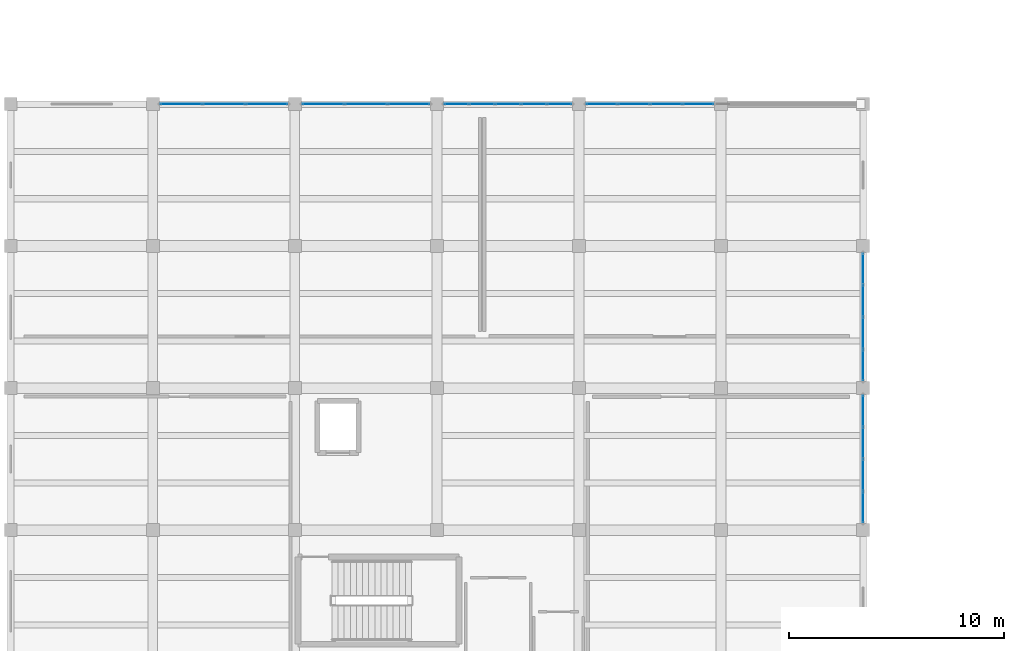
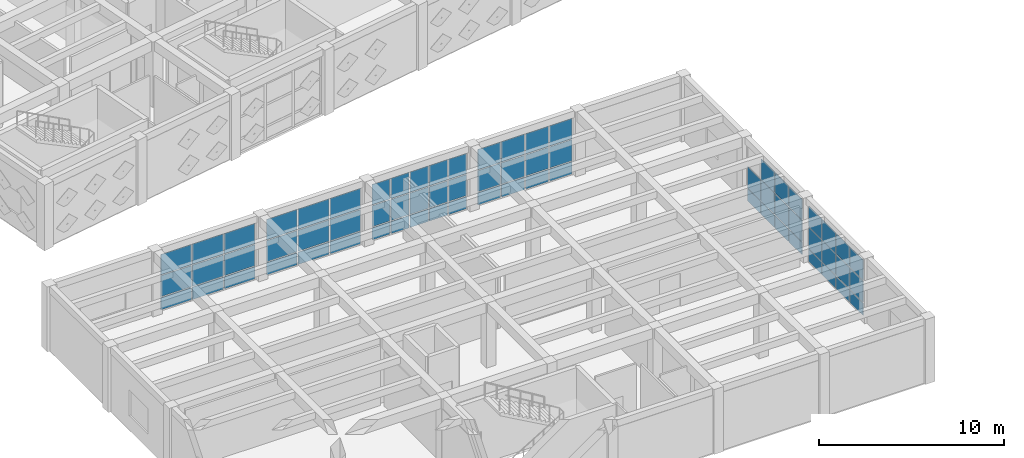
# One storey, part 42 of 67: 68 plates, 6 elements without a shape of their own.
"""IFC4 building model written with IfcOpenShell, lengths in metres."""

from ifc_helpers import new_model, si_unit, direction, frame, origin, origin_2d, place, context, subcontext, project, spatial, rectangle, extrude, material, layer, layer_set, type_object, element, aggregate, save


model = new_model("IFC4")

# Units and contexts
model_context = context("Model", 3, precision=1e-05, world=origin(), true_north=direction((0.0, 1.0)))
body_context = subcontext(model_context, "Body", "Model", "MODEL_VIEW")
ifc_project = project(units=[si_unit("LENGTHUNIT", "METRE"), si_unit("AREAUNIT", "SQUARE_METRE"), si_unit("VOLUMEUNIT", "CUBIC_METRE"), si_unit("PLANEANGLEUNIT", "RADIAN"), si_unit("MASSUNIT", "GRAM", prefix="KILO")], contexts=[model_context])

# Site, building, storey
site_placement = place(None, origin())
site = spatial("IfcSite", under=ifc_project, at=site_placement, CompositionType="ELEMENT")
building_placement = place(site_placement, origin())
building = spatial("IfcBuilding", under=site, at=building_placement, Name="Kharisveld Research Institute", CompositionType="ELEMENT")
storey_placement = place(building_placement, frame((0.0, 0.0, 9.60009765625)))
storey = spatial("IfcBuildingStorey", under=building, at=storey_placement, Name="L02", CompositionType="ELEMENT", Elevation=9.60009765625)

# Curtain wall, plates
ifc_material_1 = material(Name="Thermally Broken Aluminium Curtain Wall", Category="aluminium")
ifc_layer_1 = layer(ifc_material_1, 0.159912109375)
ifc_layer_set_1 = layer_set([ifc_layer_1], Name="CW_SYS_05")
curtain_wall_type_1 = type_object("IfcCurtainWallType", Name="CW_SYS_05", PredefinedType="NOTDEFINED", material=ifc_layer_set_1)
curtain_wall_1_placement = place(storey_placement, origin())
curtain_wall_1 = element("IfcCurtainWall", 1, at=curtain_wall_1_placement, inside=storey, type_object=curtain_wall_type_1, Name="CW:V3:L02:N1", PredefinedType="NOTDEFINED")
ifc_material_2 = material(Name="Low-E Double Glazing", Category="glass")
ifc_layer_2 = layer(ifc_material_2, 0.028076171875)
ifc_layer_set_2 = layer_set([ifc_layer_2], Name="CW_PNL_GLZ")
plate_type_1 = type_object("IfcPlateType", Name="CW_PNL_GLZ", PredefinedType="CURTAIN_PANEL", material=ifc_layer_set_2)
plate_1_placement = place(storey_placement, frame((8.512939453125, 26.60009765625, 0.059814453125), z_axis=(0.0, 0.0, 1.0), x_axis=(1.0, 0.0, 0.0)))
plate_1 = element("IfcPlate", 2, at=plate_1_placement, type_object=plate_type_1, Name="CW-05 panel 1.1", PredefinedType="CURTAIN_PANEL", context=body_context, shape_type="SweptSolid", body=[
    extrude(rectangle(XDim=1.90576171875, YDim=0.028076171875, at=origin_2d()), origin(), (0.0, 0.0, 1.0), 0.81005859375),
])
plate_2_placement = place(storey_placement, frame((8.512939453125, 26.60009765625, 0.93017578125), z_axis=(0.0, 0.0, 1.0), x_axis=(1.0, 0.0, 0.0)))
plate_2 = element("IfcPlate", 3, at=plate_2_placement, type_object=plate_type_1, Name="CW-05 panel 1.2", PredefinedType="CURTAIN_PANEL", context=body_context, shape_type="SweptSolid", body=[
    extrude(rectangle(XDim=1.90576171875, YDim=0.028076171875, at=origin_2d()), origin(), (0.0, 0.0, 1.0), 1.389892578125),
])
plate_3_placement = place(storey_placement, frame((8.512939453125, 26.60009765625, 2.3798828125), z_axis=(0.0, 0.0, 1.0), x_axis=(1.0, 0.0, 0.0)))
plate_3 = element("IfcPlate", 4, at=plate_3_placement, type_object=plate_type_1, Name="CW-05 panel 1.3", PredefinedType="CURTAIN_PANEL", context=body_context, shape_type="SweptSolid", body=[
    extrude(rectangle(XDim=1.90576171875, YDim=0.028076171875, at=origin_2d()), origin(), (0.0, 0.0, 1.0), 1.340087890625),
])
plate_4_placement = place(storey_placement, frame((10.5, 26.60009765625, 0.059814453125), z_axis=(0.0, 0.0, 1.0), x_axis=(1.0, 0.0, 0.0)))
plate_4 = element("IfcPlate", 5, at=plate_4_placement, type_object=plate_type_1, Name="CW-05 panel 2.1", PredefinedType="CURTAIN_PANEL", context=body_context, shape_type="SweptSolid", body=[
    extrude(rectangle(XDim=1.938232421875, YDim=0.028076171875, at=origin_2d()), origin(), (0.0, 0.0, 1.0), 0.81005859375),
])
plate_5_placement = place(storey_placement, frame((10.5, 26.60009765625, 0.93017578125), z_axis=(0.0, 0.0, 1.0), x_axis=(1.0, 0.0, 0.0)))
plate_5 = element("IfcPlate", 6, at=plate_5_placement, type_object=plate_type_1, Name="CW-05 panel 2.2", PredefinedType="CURTAIN_PANEL", context=body_context, shape_type="SweptSolid", body=[
    extrude(rectangle(XDim=1.938232421875, YDim=0.028076171875, at=origin_2d()), origin(), (0.0, 0.0, 1.0), 1.389892578125),
])
plate_6_placement = place(storey_placement, frame((10.5, 26.60009765625, 2.3798828125), z_axis=(0.0, 0.0, 1.0), x_axis=(1.0, 0.0, 0.0)))
plate_6 = element("IfcPlate", 7, at=plate_6_placement, type_object=plate_type_1, Name="CW-05 panel 2.3", PredefinedType="CURTAIN_PANEL", context=body_context, shape_type="SweptSolid", body=[
    extrude(rectangle(XDim=1.938232421875, YDim=0.028076171875, at=origin_2d()), origin(), (0.0, 0.0, 1.0), 1.340087890625),
])
plate_7_placement = place(storey_placement, frame((12.487060546875, 26.60009765625, 0.059814453125), z_axis=(0.0, 0.0, 1.0), x_axis=(1.0, 0.0, 0.0)))
plate_7 = element("IfcPlate", 8, at=plate_7_placement, type_object=plate_type_1, Name="CW-05 panel 3.1", PredefinedType="CURTAIN_PANEL", context=body_context, shape_type="SweptSolid", body=[
    extrude(rectangle(XDim=1.90576171875, YDim=0.028076171875, at=origin_2d()), origin(), (0.0, 0.0, 1.0), 0.81005859375),
])
plate_8_placement = place(storey_placement, frame((12.487060546875, 26.60009765625, 0.93017578125), z_axis=(0.0, 0.0, 1.0), x_axis=(1.0, 0.0, 0.0)))
plate_8 = element("IfcPlate", 9, at=plate_8_placement, type_object=plate_type_1, Name="CW-05 panel 3.2", PredefinedType="CURTAIN_PANEL", context=body_context, shape_type="SweptSolid", body=[
    extrude(rectangle(XDim=1.90576171875, YDim=0.028076171875, at=origin_2d()), origin(), (0.0, 0.0, 1.0), 1.389892578125),
])
plate_9_placement = place(storey_placement, frame((12.487060546875, 26.60009765625, 2.3798828125), z_axis=(0.0, 0.0, 1.0), x_axis=(1.0, 0.0, 0.0)))
plate_9 = element("IfcPlate", 10, at=plate_9_placement, type_object=plate_type_1, Name="CW-05 panel 3.3", PredefinedType="CURTAIN_PANEL", context=body_context, shape_type="SweptSolid", body=[
    extrude(rectangle(XDim=1.90576171875, YDim=0.028076171875, at=origin_2d()), origin(), (0.0, 0.0, 1.0), 1.340087890625),
])
aggregate(curtain_wall_1, [plate_1, plate_2, plate_3, plate_4, plate_5, plate_6, plate_7, plate_8, plate_9])

ifc_material_3 = material(Name="Thermally Broken Aluminium Curtain Wall", Category="aluminium")
ifc_layer_3 = layer(ifc_material_3, 0.159912109375)
ifc_layer_set_3 = layer_set([ifc_layer_3], Name="CW_SYS_06")
curtain_wall_type_2 = type_object("IfcCurtainWallType", Name="CW_SYS_06", PredefinedType="NOTDEFINED", material=ifc_layer_set_3)
curtain_wall_2_placement = place(storey_placement, origin())
curtain_wall_2 = element("IfcCurtainWall", 11, at=curtain_wall_2_placement, inside=storey, type_object=curtain_wall_type_2, Name="CW:V3:L02:N2", PredefinedType="NOTDEFINED")
plate_10_placement = place(storey_placement, frame((15.113037109375, 26.60009765625, 0.059814453125), z_axis=(0.0, 0.0, 1.0), x_axis=(1.0, 0.0, 0.0)))
plate_10 = element("IfcPlate", 12, at=plate_10_placement, type_object=plate_type_1, Name="CW-06 panel 1.1", PredefinedType="CURTAIN_PANEL", context=body_context, shape_type="SweptSolid", body=[
    extrude(rectangle(XDim=1.90576171875, YDim=0.028076171875, at=origin_2d()), origin(), (0.0, 0.0, 1.0), 0.81005859375),
])
plate_11_placement = place(storey_placement, frame((15.113037109375, 26.60009765625, 0.93017578125), z_axis=(0.0, 0.0, 1.0), x_axis=(1.0, 0.0, 0.0)))
plate_11 = element("IfcPlate", 13, at=plate_11_placement, type_object=plate_type_1, Name="CW-06 panel 1.2", PredefinedType="CURTAIN_PANEL", context=body_context, shape_type="SweptSolid", body=[
    extrude(rectangle(XDim=1.90576171875, YDim=0.028076171875, at=origin_2d()), origin(), (0.0, 0.0, 1.0), 1.389892578125),
])
plate_12_placement = place(storey_placement, frame((15.113037109375, 26.60009765625, 2.3798828125), z_axis=(0.0, 0.0, 1.0), x_axis=(1.0, 0.0, 0.0)))
plate_12 = element("IfcPlate", 14, at=plate_12_placement, type_object=plate_type_1, Name="CW-06 panel 1.3", PredefinedType="CURTAIN_PANEL", context=body_context, shape_type="SweptSolid", body=[
    extrude(rectangle(XDim=1.90576171875, YDim=0.028076171875, at=origin_2d()), origin(), (0.0, 0.0, 1.0), 1.340087890625),
])
plate_13_placement = place(storey_placement, frame((17.10009765625, 26.60009765625, 0.059814453125), z_axis=(0.0, 0.0, 1.0), x_axis=(1.0, 0.0, 0.0)))
plate_13 = element("IfcPlate", 15, at=plate_13_placement, type_object=plate_type_1, Name="CW-06 panel 2.1", PredefinedType="CURTAIN_PANEL", context=body_context, shape_type="SweptSolid", body=[
    extrude(rectangle(XDim=1.938232421875, YDim=0.028076171875, at=origin_2d()), origin(), (0.0, 0.0, 1.0), 0.81005859375),
])
plate_14_placement = place(storey_placement, frame((17.10009765625, 26.60009765625, 0.93017578125), z_axis=(0.0, 0.0, 1.0), x_axis=(1.0, 0.0, 0.0)))
plate_14 = element("IfcPlate", 16, at=plate_14_placement, type_object=plate_type_1, Name="CW-06 panel 2.2", PredefinedType="CURTAIN_PANEL", context=body_context, shape_type="SweptSolid", body=[
    extrude(rectangle(XDim=1.938232421875, YDim=0.028076171875, at=origin_2d()), origin(), (0.0, 0.0, 1.0), 1.389892578125),
])
plate_15_placement = place(storey_placement, frame((17.10009765625, 26.60009765625, 2.3798828125), z_axis=(0.0, 0.0, 1.0), x_axis=(1.0, 0.0, 0.0)))
plate_15 = element("IfcPlate", 17, at=plate_15_placement, type_object=plate_type_1, Name="CW-06 panel 2.3", PredefinedType="CURTAIN_PANEL", context=body_context, shape_type="SweptSolid", body=[
    extrude(rectangle(XDim=1.938232421875, YDim=0.028076171875, at=origin_2d()), origin(), (0.0, 0.0, 1.0), 1.340087890625),
])
plate_16_placement = place(storey_placement, frame((19.087158203125, 26.60009765625, 0.059814453125), z_axis=(0.0, 0.0, 1.0), x_axis=(1.0, 0.0, 0.0)))
plate_16 = element("IfcPlate", 18, at=plate_16_placement, type_object=plate_type_1, Name="CW-06 panel 3.1", PredefinedType="CURTAIN_PANEL", context=body_context, shape_type="SweptSolid", body=[
    extrude(rectangle(XDim=1.90576171875, YDim=0.028076171875, at=origin_2d()), origin(), (0.0, 0.0, 1.0), 0.81005859375),
])
plate_17_placement = place(storey_placement, frame((19.087158203125, 26.60009765625, 0.93017578125), z_axis=(0.0, 0.0, 1.0), x_axis=(1.0, 0.0, 0.0)))
plate_17 = element("IfcPlate", 19, at=plate_17_placement, type_object=plate_type_1, Name="CW-06 panel 3.2", PredefinedType="CURTAIN_PANEL", context=body_context, shape_type="SweptSolid", body=[
    extrude(rectangle(XDim=1.90576171875, YDim=0.028076171875, at=origin_2d()), origin(), (0.0, 0.0, 1.0), 1.389892578125),
])
plate_18_placement = place(storey_placement, frame((19.087158203125, 26.60009765625, 2.3798828125), z_axis=(0.0, 0.0, 1.0), x_axis=(1.0, 0.0, 0.0)))
plate_18 = element("IfcPlate", 20, at=plate_18_placement, type_object=plate_type_1, Name="CW-06 panel 3.3", PredefinedType="CURTAIN_PANEL", context=body_context, shape_type="SweptSolid", body=[
    extrude(rectangle(XDim=1.90576171875, YDim=0.028076171875, at=origin_2d()), origin(), (0.0, 0.0, 1.0), 1.340087890625),
])
aggregate(curtain_wall_2, [plate_10, plate_11, plate_12, plate_13, plate_14, plate_15, plate_16, plate_17, plate_18])

ifc_material_4 = material(Name="Thermally Broken Aluminium Curtain Wall", Category="aluminium")
ifc_layer_4 = layer(ifc_material_4, 0.159912109375)
ifc_layer_set_4 = layer_set([ifc_layer_4], Name="CW_SYS_01")
curtain_wall_type_3 = type_object("IfcCurtainWallType", Name="CW_SYS_01", PredefinedType="NOTDEFINED", material=ifc_layer_set_4)
curtain_wall_3_placement = place(storey_placement, origin())
curtain_wall_3 = element("IfcCurtainWall", 21, at=curtain_wall_3_placement, inside=storey, type_object=curtain_wall_type_3, Name="CW:V3:L02:N3", PredefinedType="NOTDEFINED")
plate_19_placement = place(storey_placement, frame((21.312255859375, 26.60009765625, 0.059814453125), z_axis=(0.0, 0.0, 1.0), x_axis=(1.0, 0.0, 0.0)))
plate_19 = element("IfcPlate", 22, at=plate_19_placement, type_object=plate_type_1, Name="CW-01 panel 1.1", PredefinedType="CURTAIN_PANEL", context=body_context, shape_type="SweptSolid", body=[
    extrude(rectangle(XDim=1.1044921875, YDim=0.028076171875, at=origin_2d()), origin(), (0.0, 0.0, 1.0), 0.81005859375),
])
plate_20_placement = place(storey_placement, frame((21.312255859375, 26.60009765625, 0.93017578125), z_axis=(0.0, 0.0, 1.0), x_axis=(1.0, 0.0, 0.0)))
plate_20 = element("IfcPlate", 23, at=plate_20_placement, type_object=plate_type_1, Name="CW-01 panel 1.2", PredefinedType="CURTAIN_PANEL", context=body_context, shape_type="SweptSolid", body=[
    extrude(rectangle(XDim=1.1044921875, YDim=0.028076171875, at=origin_2d()), origin(), (0.0, 0.0, 1.0), 1.389892578125),
])
plate_21_placement = place(storey_placement, frame((21.312255859375, 26.60009765625, 2.3798828125), z_axis=(0.0, 0.0, 1.0), x_axis=(1.0, 0.0, 0.0)))
plate_21 = element("IfcPlate", 24, at=plate_21_placement, type_object=plate_type_1, Name="CW-01 panel 1.3", PredefinedType="CURTAIN_PANEL", context=body_context, shape_type="SweptSolid", body=[
    extrude(rectangle(XDim=1.1044921875, YDim=0.028076171875, at=origin_2d()), origin(), (0.0, 0.0, 1.0), 1.340087890625),
])
plate_22_placement = place(storey_placement, frame((22.498046875, 26.60009765625, 0.059814453125), z_axis=(0.0, 0.0, 1.0), x_axis=(1.0, 0.0, 0.0)))
plate_22 = element("IfcPlate", 25, at=plate_22_placement, type_object=plate_type_1, Name="CW-01 panel 2.1", PredefinedType="CURTAIN_PANEL", context=body_context, shape_type="SweptSolid", body=[
    extrude(rectangle(XDim=1.136962890625, YDim=0.028076171875, at=origin_2d()), origin(), (0.0, 0.0, 1.0), 0.81005859375),
])
plate_23_placement = place(storey_placement, frame((22.498046875, 26.60009765625, 0.93017578125), z_axis=(0.0, 0.0, 1.0), x_axis=(1.0, 0.0, 0.0)))
plate_23 = element("IfcPlate", 26, at=plate_23_placement, type_object=plate_type_1, Name="CW-01 panel 2.2", PredefinedType="CURTAIN_PANEL", context=body_context, shape_type="SweptSolid", body=[
    extrude(rectangle(XDim=1.136962890625, YDim=0.028076171875, at=origin_2d()), origin(), (0.0, 0.0, 1.0), 1.389892578125),
])
plate_24_placement = place(storey_placement, frame((22.498046875, 26.60009765625, 2.3798828125), z_axis=(0.0, 0.0, 1.0), x_axis=(1.0, 0.0, 0.0)))
plate_24 = element("IfcPlate", 27, at=plate_24_placement, type_object=plate_type_1, Name="CW-01 panel 2.3", PredefinedType="CURTAIN_PANEL", context=body_context, shape_type="SweptSolid", body=[
    extrude(rectangle(XDim=1.136962890625, YDim=0.028076171875, at=origin_2d()), origin(), (0.0, 0.0, 1.0), 1.340087890625),
])
plate_25_placement = place(storey_placement, frame((23.699951171875, 26.60009765625, 0.059814453125), z_axis=(0.0, 0.0, 1.0), x_axis=(1.0, 0.0, 0.0)))
plate_25 = element("IfcPlate", 28, at=plate_25_placement, type_object=plate_type_1, Name="CW-01 panel 3.1", PredefinedType="CURTAIN_PANEL", context=body_context, shape_type="SweptSolid", body=[
    extrude(rectangle(XDim=1.136962890625, YDim=0.028076171875, at=origin_2d()), origin(), (0.0, 0.0, 1.0), 0.81005859375),
])
plate_26_placement = place(storey_placement, frame((23.699951171875, 26.60009765625, 0.93017578125), z_axis=(0.0, 0.0, 1.0), x_axis=(1.0, 0.0, 0.0)))
plate_26 = element("IfcPlate", 29, at=plate_26_placement, type_object=plate_type_1, Name="CW-01 panel 3.2", PredefinedType="CURTAIN_PANEL", context=body_context, shape_type="SweptSolid", body=[
    extrude(rectangle(XDim=1.136962890625, YDim=0.028076171875, at=origin_2d()), origin(), (0.0, 0.0, 1.0), 1.389892578125),
])
plate_27_placement = place(storey_placement, frame((23.699951171875, 26.60009765625, 2.3798828125), z_axis=(0.0, 0.0, 1.0), x_axis=(1.0, 0.0, 0.0)))
plate_27 = element("IfcPlate", 30, at=plate_27_placement, type_object=plate_type_1, Name="CW-01 panel 3.3", PredefinedType="CURTAIN_PANEL", context=body_context, shape_type="SweptSolid", body=[
    extrude(rectangle(XDim=1.136962890625, YDim=0.028076171875, at=origin_2d()), origin(), (0.0, 0.0, 1.0), 1.340087890625),
])
plate_28_placement = place(storey_placement, frame((24.902099609375, 26.60009765625, 0.059814453125), z_axis=(0.0, 0.0, 1.0), x_axis=(1.0, 0.0, 0.0)))
plate_28 = element("IfcPlate", 31, at=plate_28_placement, type_object=plate_type_1, Name="CW-01 panel 4.1", PredefinedType="CURTAIN_PANEL", context=body_context, shape_type="SweptSolid", body=[
    extrude(rectangle(XDim=1.136962890625, YDim=0.028076171875, at=origin_2d()), origin(), (0.0, 0.0, 1.0), 0.81005859375),
])
plate_29_placement = place(storey_placement, frame((24.902099609375, 26.60009765625, 0.93017578125), z_axis=(0.0, 0.0, 1.0), x_axis=(1.0, 0.0, 0.0)))
plate_29 = element("IfcPlate", 32, at=plate_29_placement, type_object=plate_type_1, Name="CW-01 panel 4.2", PredefinedType="CURTAIN_PANEL", context=body_context, shape_type="SweptSolid", body=[
    extrude(rectangle(XDim=1.136962890625, YDim=0.028076171875, at=origin_2d()), origin(), (0.0, 0.0, 1.0), 1.389892578125),
])
plate_30_placement = place(storey_placement, frame((24.902099609375, 26.60009765625, 2.3798828125), z_axis=(0.0, 0.0, 1.0), x_axis=(1.0, 0.0, 0.0)))
plate_30 = element("IfcPlate", 33, at=plate_30_placement, type_object=plate_type_1, Name="CW-01 panel 4.3", PredefinedType="CURTAIN_PANEL", context=body_context, shape_type="SweptSolid", body=[
    extrude(rectangle(XDim=1.136962890625, YDim=0.028076171875, at=origin_2d()), origin(), (0.0, 0.0, 1.0), 1.340087890625),
])
plate_31_placement = place(storey_placement, frame((26.087646484375, 26.60009765625, 0.059814453125), z_axis=(0.0, 0.0, 1.0), x_axis=(1.0, 0.0, 0.0)))
plate_31 = element("IfcPlate", 34, at=plate_31_placement, type_object=plate_type_1, Name="CW-01 panel 5.1", PredefinedType="CURTAIN_PANEL", context=body_context, shape_type="SweptSolid", body=[
    extrude(rectangle(XDim=1.1044921875, YDim=0.028076171875, at=origin_2d()), origin(), (0.0, 0.0, 1.0), 0.81005859375),
])
plate_32_placement = place(storey_placement, frame((26.087646484375, 26.60009765625, 0.93017578125), z_axis=(0.0, 0.0, 1.0), x_axis=(1.0, 0.0, 0.0)))
plate_32 = element("IfcPlate", 35, at=plate_32_placement, type_object=plate_type_1, Name="CW-01 panel 5.2", PredefinedType="CURTAIN_PANEL", context=body_context, shape_type="SweptSolid", body=[
    extrude(rectangle(XDim=1.1044921875, YDim=0.028076171875, at=origin_2d()), origin(), (0.0, 0.0, 1.0), 1.389892578125),
])
plate_33_placement = place(storey_placement, frame((26.087646484375, 26.60009765625, 2.3798828125), z_axis=(0.0, 0.0, 1.0), x_axis=(1.0, 0.0, 0.0)))
plate_33 = element("IfcPlate", 36, at=plate_33_placement, type_object=plate_type_1, Name="CW-01 panel 5.3", PredefinedType="CURTAIN_PANEL", context=body_context, shape_type="SweptSolid", body=[
    extrude(rectangle(XDim=1.1044921875, YDim=0.028076171875, at=origin_2d()), origin(), (0.0, 0.0, 1.0), 1.340087890625),
])
aggregate(curtain_wall_3, [plate_19, plate_20, plate_21, plate_22, plate_23, plate_24, plate_25, plate_26, plate_27, plate_28, plate_29, plate_30, plate_31, plate_32, plate_33])

ifc_material_5 = material(Name="Thermally Broken Aluminium Curtain Wall", Category="aluminium")
ifc_layer_5 = layer(ifc_material_5, 0.159912109375)
ifc_layer_set_5 = layer_set([ifc_layer_5], Name="CW_SYS_02")
curtain_wall_type_4 = type_object("IfcCurtainWallType", Name="CW_SYS_02", PredefinedType="NOTDEFINED", material=ifc_layer_set_5)
curtain_wall_4_placement = place(storey_placement, origin())
curtain_wall_4 = element("IfcCurtainWall", 37, at=curtain_wall_4_placement, inside=storey, type_object=curtain_wall_type_4, Name="CW:V3:L02:N4", PredefinedType="NOTDEFINED")
plate_34_placement = place(storey_placement, frame((28.0625, 26.60009765625, 0.059814453125), z_axis=(0.0, 0.0, 1.0), x_axis=(1.0, 0.0, 0.0)))
plate_34 = element("IfcPlate", 38, at=plate_34_placement, type_object=plate_type_1, Name="CW-02 panel 1.1", PredefinedType="CURTAIN_PANEL", context=body_context, shape_type="SweptSolid", body=[
    extrude(rectangle(XDim=1.405029296875, YDim=0.028076171875, at=origin_2d()), origin(), (0.0, 0.0, 1.0), 0.81005859375),
])
plate_35_placement = place(storey_placement, frame((28.0625, 26.60009765625, 0.93017578125), z_axis=(0.0, 0.0, 1.0), x_axis=(1.0, 0.0, 0.0)))
plate_35 = element("IfcPlate", 39, at=plate_35_placement, type_object=plate_type_1, Name="CW-02 panel 1.2", PredefinedType="CURTAIN_PANEL", context=body_context, shape_type="SweptSolid", body=[
    extrude(rectangle(XDim=1.405029296875, YDim=0.028076171875, at=origin_2d()), origin(), (0.0, 0.0, 1.0), 1.389892578125),
])
plate_36_placement = place(storey_placement, frame((28.0625, 26.60009765625, 2.3798828125), z_axis=(0.0, 0.0, 1.0), x_axis=(1.0, 0.0, 0.0)))
plate_36 = element("IfcPlate", 40, at=plate_36_placement, type_object=plate_type_1, Name="CW-02 panel 1.3", PredefinedType="CURTAIN_PANEL", context=body_context, shape_type="SweptSolid", body=[
    extrude(rectangle(XDim=1.405029296875, YDim=0.028076171875, at=origin_2d()), origin(), (0.0, 0.0, 1.0), 1.340087890625),
])
plate_37_placement = place(storey_placement, frame((29.548828125, 26.60009765625, 0.059814453125), z_axis=(0.0, 0.0, 1.0), x_axis=(1.0, 0.0, 0.0)))
plate_37 = element("IfcPlate", 41, at=plate_37_placement, type_object=plate_type_1, Name="CW-02 panel 2.1", PredefinedType="CURTAIN_PANEL", context=body_context, shape_type="SweptSolid", body=[
    extrude(rectangle(XDim=1.4375, YDim=0.028076171875, at=origin_2d()), origin(), (0.0, 0.0, 1.0), 0.81005859375),
])
plate_38_placement = place(storey_placement, frame((29.548828125, 26.60009765625, 0.93017578125), z_axis=(0.0, 0.0, 1.0), x_axis=(1.0, 0.0, 0.0)))
plate_38 = element("IfcPlate", 42, at=plate_38_placement, type_object=plate_type_1, Name="CW-02 panel 2.2", PredefinedType="CURTAIN_PANEL", context=body_context, shape_type="SweptSolid", body=[
    extrude(rectangle(XDim=1.4375, YDim=0.028076171875, at=origin_2d()), origin(), (0.0, 0.0, 1.0), 1.389892578125),
])
plate_39_placement = place(storey_placement, frame((29.548828125, 26.60009765625, 2.3798828125), z_axis=(0.0, 0.0, 1.0), x_axis=(1.0, 0.0, 0.0)))
plate_39 = element("IfcPlate", 43, at=plate_39_placement, type_object=plate_type_1, Name="CW-02 panel 2.3", PredefinedType="CURTAIN_PANEL", context=body_context, shape_type="SweptSolid", body=[
    extrude(rectangle(XDim=1.4375, YDim=0.028076171875, at=origin_2d()), origin(), (0.0, 0.0, 1.0), 1.340087890625),
])
plate_40_placement = place(storey_placement, frame((31.05126953125, 26.60009765625, 0.059814453125), z_axis=(0.0, 0.0, 1.0), x_axis=(1.0, 0.0, 0.0)))
plate_40 = element("IfcPlate", 44, at=plate_40_placement, type_object=plate_type_1, Name="CW-02 panel 3.1", PredefinedType="CURTAIN_PANEL", context=body_context, shape_type="SweptSolid", body=[
    extrude(rectangle(XDim=1.4375, YDim=0.028076171875, at=origin_2d()), origin(), (0.0, 0.0, 1.0), 0.81005859375),
])
plate_41_placement = place(storey_placement, frame((31.05126953125, 26.60009765625, 0.93017578125), z_axis=(0.0, 0.0, 1.0), x_axis=(1.0, 0.0, 0.0)))
plate_41 = element("IfcPlate", 45, at=plate_41_placement, type_object=plate_type_1, Name="CW-02 panel 3.2", PredefinedType="CURTAIN_PANEL", context=body_context, shape_type="SweptSolid", body=[
    extrude(rectangle(XDim=1.4375, YDim=0.028076171875, at=origin_2d()), origin(), (0.0, 0.0, 1.0), 1.389892578125),
])
plate_42_placement = place(storey_placement, frame((31.05126953125, 26.60009765625, 2.3798828125), z_axis=(0.0, 0.0, 1.0), x_axis=(1.0, 0.0, 0.0)))
plate_42 = element("IfcPlate", 46, at=plate_42_placement, type_object=plate_type_1, Name="CW-02 panel 3.3", PredefinedType="CURTAIN_PANEL", context=body_context, shape_type="SweptSolid", body=[
    extrude(rectangle(XDim=1.4375, YDim=0.028076171875, at=origin_2d()), origin(), (0.0, 0.0, 1.0), 1.340087890625),
])
plate_43_placement = place(storey_placement, frame((32.53759765625, 26.60009765625, 0.059814453125), z_axis=(0.0, 0.0, 1.0), x_axis=(1.0, 0.0, 0.0)))
plate_43 = element("IfcPlate", 47, at=plate_43_placement, type_object=plate_type_1, Name="CW-02 panel 4.1", PredefinedType="CURTAIN_PANEL", context=body_context, shape_type="SweptSolid", body=[
    extrude(rectangle(XDim=1.405029296875, YDim=0.028076171875, at=origin_2d()), origin(), (0.0, 0.0, 1.0), 0.81005859375),
])
plate_44_placement = place(storey_placement, frame((32.53759765625, 26.60009765625, 0.93017578125), z_axis=(0.0, 0.0, 1.0), x_axis=(1.0, 0.0, 0.0)))
plate_44 = element("IfcPlate", 48, at=plate_44_placement, type_object=plate_type_1, Name="CW-02 panel 4.2", PredefinedType="CURTAIN_PANEL", context=body_context, shape_type="SweptSolid", body=[
    extrude(rectangle(XDim=1.405029296875, YDim=0.028076171875, at=origin_2d()), origin(), (0.0, 0.0, 1.0), 1.389892578125),
])
plate_45_placement = place(storey_placement, frame((32.53759765625, 26.60009765625, 2.3798828125), z_axis=(0.0, 0.0, 1.0), x_axis=(1.0, 0.0, 0.0)))
plate_45 = element("IfcPlate", 49, at=plate_45_placement, type_object=plate_type_1, Name="CW-02 panel 4.3", PredefinedType="CURTAIN_PANEL", context=body_context, shape_type="SweptSolid", body=[
    extrude(rectangle(XDim=1.405029296875, YDim=0.028076171875, at=origin_2d()), origin(), (0.0, 0.0, 1.0), 1.340087890625),
])
aggregate(curtain_wall_4, [plate_34, plate_35, plate_36, plate_37, plate_38, plate_39, plate_40, plate_41, plate_42, plate_43, plate_44, plate_45])

ifc_material_6 = material(Name="Thermally Broken Aluminium Curtain Wall", Category="aluminium")
ifc_layer_6 = layer(ifc_material_6, 0.159912109375)
ifc_layer_set_6 = layer_set([ifc_layer_6], Name="CW_SYS_04")
curtain_wall_type_5 = type_object("IfcCurtainWallType", Name="CW_SYS_04", PredefinedType="NOTDEFINED", material=ifc_layer_set_6)
curtain_wall_5_placement = place(storey_placement, origin())
curtain_wall_5 = element("IfcCurtainWall", 50, at=curtain_wall_5_placement, inside=storey, type_object=curtain_wall_type_5, Name="CW:V3:L02:E2", PredefinedType="NOTDEFINED")
plate_46_placement = place(storey_placement, frame((40.199951171875, 12.33740234375, 0.059814453125), z_axis=(0.0, 0.0, 1.0), x_axis=(0.0, -1.0, 0.0)))
plate_46 = element("IfcPlate", 51, at=plate_46_placement, type_object=plate_type_1, Name="CW-04 panel 1.1", PredefinedType="CURTAIN_PANEL", context=body_context, shape_type="SweptSolid", body=[
    extrude(rectangle(XDim=1.405029296875, YDim=0.028076171875, at=origin_2d()), origin(), (0.0, 0.0, 1.0), 0.81005859375),
])
plate_47_placement = place(storey_placement, frame((40.199951171875, 12.33740234375, 0.93017578125), z_axis=(0.0, 0.0, 1.0), x_axis=(0.0, -1.0, 0.0)))
plate_47 = element("IfcPlate", 52, at=plate_47_placement, type_object=plate_type_1, Name="CW-04 panel 1.2", PredefinedType="CURTAIN_PANEL", context=body_context, shape_type="SweptSolid", body=[
    extrude(rectangle(XDim=1.405029296875, YDim=0.028076171875, at=origin_2d()), origin(), (0.0, 0.0, 1.0), 1.389892578125),
])
plate_48_placement = place(storey_placement, frame((40.199951171875, 12.33740234375, 2.3798828125), z_axis=(0.0, 0.0, 1.0), x_axis=(0.0, -1.0, 0.0)))
plate_48 = element("IfcPlate", 53, at=plate_48_placement, type_object=plate_type_1, Name="CW-04 panel 1.3", PredefinedType="CURTAIN_PANEL", context=body_context, shape_type="SweptSolid", body=[
    extrude(rectangle(XDim=1.405029296875, YDim=0.028076171875, at=origin_2d()), origin(), (0.0, 0.0, 1.0), 1.340087890625),
])
plate_49_placement = place(storey_placement, frame((40.199951171875, 10.851318359375, 0.059814453125), z_axis=(0.0, 0.0, 1.0), x_axis=(0.0, -1.0, 0.0)))
plate_49 = element("IfcPlate", 54, at=plate_49_placement, type_object=plate_type_1, Name="CW-04 panel 2.1", PredefinedType="CURTAIN_PANEL", context=body_context, shape_type="SweptSolid", body=[
    extrude(rectangle(XDim=1.4375, YDim=0.028076171875, at=origin_2d()), origin(), (0.0, 0.0, 1.0), 0.81005859375),
])
plate_50_placement = place(storey_placement, frame((40.199951171875, 10.851318359375, 0.93017578125), z_axis=(0.0, 0.0, 1.0), x_axis=(0.0, -1.0, 0.0)))
plate_50 = element("IfcPlate", 55, at=plate_50_placement, type_object=plate_type_1, Name="CW-04 panel 2.2", PredefinedType="CURTAIN_PANEL", context=body_context, shape_type="SweptSolid", body=[
    extrude(rectangle(XDim=1.4375, YDim=0.028076171875, at=origin_2d()), origin(), (0.0, 0.0, 1.0), 1.389892578125),
])
plate_51_placement = place(storey_placement, frame((40.199951171875, 10.851318359375, 2.3798828125), z_axis=(0.0, 0.0, 1.0), x_axis=(0.0, -1.0, 0.0)))
plate_51 = element("IfcPlate", 56, at=plate_51_placement, type_object=plate_type_1, Name="CW-04 panel 2.3", PredefinedType="CURTAIN_PANEL", context=body_context, shape_type="SweptSolid", body=[
    extrude(rectangle(XDim=1.4375, YDim=0.028076171875, at=origin_2d()), origin(), (0.0, 0.0, 1.0), 1.340087890625),
])
plate_52_placement = place(storey_placement, frame((40.199951171875, 9.3486328125, 0.059814453125), z_axis=(0.0, 0.0, 1.0), x_axis=(0.0, -1.0, 0.0)))
plate_52 = element("IfcPlate", 57, at=plate_52_placement, type_object=plate_type_1, Name="CW-04 panel 3.1", PredefinedType="CURTAIN_PANEL", context=body_context, shape_type="SweptSolid", body=[
    extrude(rectangle(XDim=1.4375, YDim=0.028076171875, at=origin_2d()), origin(), (0.0, 0.0, 1.0), 0.81005859375),
])
plate_53_placement = place(storey_placement, frame((40.199951171875, 9.3486328125, 0.93017578125), z_axis=(0.0, 0.0, 1.0), x_axis=(0.0, -1.0, 0.0)))
plate_53 = element("IfcPlate", 58, at=plate_53_placement, type_object=plate_type_1, Name="CW-04 panel 3.2", PredefinedType="CURTAIN_PANEL", context=body_context, shape_type="SweptSolid", body=[
    extrude(rectangle(XDim=1.4375, YDim=0.028076171875, at=origin_2d()), origin(), (0.0, 0.0, 1.0), 1.389892578125),
])
plate_54_placement = place(storey_placement, frame((40.199951171875, 9.3486328125, 2.3798828125), z_axis=(0.0, 0.0, 1.0), x_axis=(0.0, -1.0, 0.0)))
plate_54 = element("IfcPlate", 59, at=plate_54_placement, type_object=plate_type_1, Name="CW-04 panel 3.3", PredefinedType="CURTAIN_PANEL", context=body_context, shape_type="SweptSolid", body=[
    extrude(rectangle(XDim=1.4375, YDim=0.028076171875, at=origin_2d()), origin(), (0.0, 0.0, 1.0), 1.340087890625),
])
plate_55_placement = place(storey_placement, frame((40.199951171875, 7.862548828125, 0.059814453125), z_axis=(0.0, 0.0, 1.0), x_axis=(0.0, -1.0, 0.0)))
plate_55 = element("IfcPlate", 60, at=plate_55_placement, type_object=plate_type_1, Name="CW-04 panel 4.1", PredefinedType="CURTAIN_PANEL", context=body_context, shape_type="SweptSolid", body=[
    extrude(rectangle(XDim=1.405029296875, YDim=0.028076171875, at=origin_2d()), origin(), (0.0, 0.0, 1.0), 0.81005859375),
])
plate_56_placement = place(storey_placement, frame((40.199951171875, 7.862548828125, 0.93017578125), z_axis=(0.0, 0.0, 1.0), x_axis=(0.0, -1.0, 0.0)))
plate_56 = element("IfcPlate", 61, at=plate_56_placement, type_object=plate_type_1, Name="CW-04 panel 4.2", PredefinedType="CURTAIN_PANEL", context=body_context, shape_type="SweptSolid", body=[
    extrude(rectangle(XDim=1.405029296875, YDim=0.028076171875, at=origin_2d()), origin(), (0.0, 0.0, 1.0), 1.389892578125),
])
plate_57_placement = place(storey_placement, frame((40.199951171875, 7.862548828125, 2.3798828125), z_axis=(0.0, 0.0, 1.0), x_axis=(0.0, -1.0, 0.0)))
plate_57 = element("IfcPlate", 62, at=plate_57_placement, type_object=plate_type_1, Name="CW-04 panel 4.3", PredefinedType="CURTAIN_PANEL", context=body_context, shape_type="SweptSolid", body=[
    extrude(rectangle(XDim=1.405029296875, YDim=0.028076171875, at=origin_2d()), origin(), (0.0, 0.0, 1.0), 1.340087890625),
])
aggregate(curtain_wall_5, [plate_46, plate_47, plate_48, plate_49, plate_50, plate_51, plate_52, plate_53, plate_54, plate_55, plate_56, plate_57])

ifc_material_7 = material(Name="Thermally Broken Aluminium Curtain Wall", Category="aluminium")
ifc_layer_7 = layer(ifc_material_7, 0.159912109375)
ifc_layer_set_7 = layer_set([ifc_layer_7], Name="CW_SYS_03")
curtain_wall_type_6 = type_object("IfcCurtainWallType", Name="CW_SYS_03", PredefinedType="NOTDEFINED", material=ifc_layer_set_7)
curtain_wall_6_placement = place(storey_placement, origin())
curtain_wall_6 = element("IfcCurtainWall", 63, at=curtain_wall_6_placement, inside=storey, type_object=curtain_wall_type_6, Name="CW:V3:L02:E3", PredefinedType="NOTDEFINED")
ifc_material_8 = material(Name="Insulated Spandrel Glazing", Category="glass")
ifc_layer_8 = layer(ifc_material_8, 0.035888671875)
ifc_layer_set_8 = layer_set([ifc_layer_8], Name="CW_PNL_SPD")
plate_type_2 = type_object("IfcPlateType", Name="CW_PNL_SPD", PredefinedType="CURTAIN_PANEL", material=ifc_layer_set_8)
plate_58_placement = place(storey_placement, frame((40.199951171875, 18.9375, 0.059814453125), z_axis=(0.0, 0.0, 1.0), x_axis=(0.0, -1.0, 0.0)))
plate_58 = element("IfcPlate", 64, at=plate_58_placement, type_object=plate_type_2, Name="CW-03 panel 1.1", PredefinedType="CURTAIN_PANEL", context=body_context, shape_type="SweptSolid", body=[
    extrude(rectangle(XDim=1.405029296875, YDim=0.035888671875, at=origin_2d()), origin(), (0.0, 0.0, 1.0), 0.81005859375),
])
plate_59_placement = place(storey_placement, frame((40.199951171875, 18.9375, 0.93017578125), z_axis=(0.0, 0.0, 1.0), x_axis=(0.0, -1.0, 0.0)))
plate_59 = element("IfcPlate", 65, at=plate_59_placement, type_object=plate_type_2, Name="CW-03 panel 1.2", PredefinedType="CURTAIN_PANEL", context=body_context, shape_type="SweptSolid", body=[
    extrude(rectangle(XDim=1.405029296875, YDim=0.035888671875, at=origin_2d()), origin(), (0.0, 0.0, 1.0), 1.389892578125),
])
plate_60_placement = place(storey_placement, frame((40.199951171875, 17.451171875, 0.059814453125), z_axis=(0.0, 0.0, 1.0), x_axis=(0.0, -1.0, 0.0)))
plate_60 = element("IfcPlate", 66, at=plate_60_placement, type_object=plate_type_2, Name="CW-03 panel 2.1", PredefinedType="CURTAIN_PANEL", context=body_context, shape_type="SweptSolid", body=[
    extrude(rectangle(XDim=1.4375, YDim=0.035888671875, at=origin_2d()), origin(), (0.0, 0.0, 1.0), 0.81005859375),
])
plate_61_placement = place(storey_placement, frame((40.199951171875, 17.451171875, 0.93017578125), z_axis=(0.0, 0.0, 1.0), x_axis=(0.0, -1.0, 0.0)))
plate_61 = element("IfcPlate", 67, at=plate_61_placement, type_object=plate_type_2, Name="CW-03 panel 2.2", PredefinedType="CURTAIN_PANEL", context=body_context, shape_type="SweptSolid", body=[
    extrude(rectangle(XDim=1.4375, YDim=0.035888671875, at=origin_2d()), origin(), (0.0, 0.0, 1.0), 1.389892578125),
])
plate_62_placement = place(storey_placement, frame((40.199951171875, 17.451171875, 2.3798828125), z_axis=(0.0, 0.0, 1.0), x_axis=(0.0, -1.0, 0.0)))
plate_62 = element("IfcPlate", 68, at=plate_62_placement, type_object=plate_type_2, Name="CW-03 panel 2.3", PredefinedType="CURTAIN_PANEL", context=body_context, shape_type="SweptSolid", body=[
    extrude(rectangle(XDim=1.4375, YDim=0.035888671875, at=origin_2d()), origin(), (0.0, 0.0, 1.0), 1.340087890625),
])
plate_63_placement = place(storey_placement, frame((40.199951171875, 15.94873046875, 0.059814453125), z_axis=(0.0, 0.0, 1.0), x_axis=(0.0, -1.0, 0.0)))
plate_63 = element("IfcPlate", 69, at=plate_63_placement, type_object=plate_type_2, Name="CW-03 panel 3.1", PredefinedType="CURTAIN_PANEL", context=body_context, shape_type="SweptSolid", body=[
    extrude(rectangle(XDim=1.4375, YDim=0.035888671875, at=origin_2d()), origin(), (0.0, 0.0, 1.0), 0.81005859375),
])
plate_64_placement = place(storey_placement, frame((40.199951171875, 15.94873046875, 0.93017578125), z_axis=(0.0, 0.0, 1.0), x_axis=(0.0, -1.0, 0.0)))
plate_64 = element("IfcPlate", 70, at=plate_64_placement, type_object=plate_type_2, Name="CW-03 panel 3.2", PredefinedType="CURTAIN_PANEL", context=body_context, shape_type="SweptSolid", body=[
    extrude(rectangle(XDim=1.4375, YDim=0.035888671875, at=origin_2d()), origin(), (0.0, 0.0, 1.0), 1.389892578125),
])
plate_65_placement = place(storey_placement, frame((40.199951171875, 15.94873046875, 2.3798828125), z_axis=(0.0, 0.0, 1.0), x_axis=(0.0, -1.0, 0.0)))
plate_65 = element("IfcPlate", 71, at=plate_65_placement, type_object=plate_type_2, Name="CW-03 panel 3.3", PredefinedType="CURTAIN_PANEL", context=body_context, shape_type="SweptSolid", body=[
    extrude(rectangle(XDim=1.4375, YDim=0.035888671875, at=origin_2d()), origin(), (0.0, 0.0, 1.0), 1.340087890625),
])
plate_66_placement = place(storey_placement, frame((40.199951171875, 14.46240234375, 0.059814453125), z_axis=(0.0, 0.0, 1.0), x_axis=(0.0, -1.0, 0.0)))
plate_66 = element("IfcPlate", 72, at=plate_66_placement, type_object=plate_type_2, Name="CW-03 panel 4.1", PredefinedType="CURTAIN_PANEL", context=body_context, shape_type="SweptSolid", body=[
    extrude(rectangle(XDim=1.405029296875, YDim=0.035888671875, at=origin_2d()), origin(), (0.0, 0.0, 1.0), 0.81005859375),
])
plate_67_placement = place(storey_placement, frame((40.199951171875, 14.46240234375, 0.93017578125), z_axis=(0.0, 0.0, 1.0), x_axis=(0.0, -1.0, 0.0)))
plate_67 = element("IfcPlate", 73, at=plate_67_placement, type_object=plate_type_2, Name="CW-03 panel 4.2", PredefinedType="CURTAIN_PANEL", context=body_context, shape_type="SweptSolid", body=[
    extrude(rectangle(XDim=1.405029296875, YDim=0.035888671875, at=origin_2d()), origin(), (0.0, 0.0, 1.0), 1.389892578125),
])
plate_68_placement = place(storey_placement, frame((40.199951171875, 14.46240234375, 2.3798828125), z_axis=(0.0, 0.0, 1.0), x_axis=(0.0, -1.0, 0.0)))
plate_68 = element("IfcPlate", 74, at=plate_68_placement, type_object=plate_type_2, Name="CW-03 panel 4.3", PredefinedType="CURTAIN_PANEL", context=body_context, shape_type="SweptSolid", body=[
    extrude(rectangle(XDim=1.405029296875, YDim=0.035888671875, at=origin_2d()), origin(), (0.0, 0.0, 1.0), 1.340087890625),
])
aggregate(curtain_wall_6, [plate_58, plate_59, plate_60, plate_61, plate_62, plate_63, plate_64, plate_65, plate_66, plate_67, plate_68])

save(model, "model.ifc")
